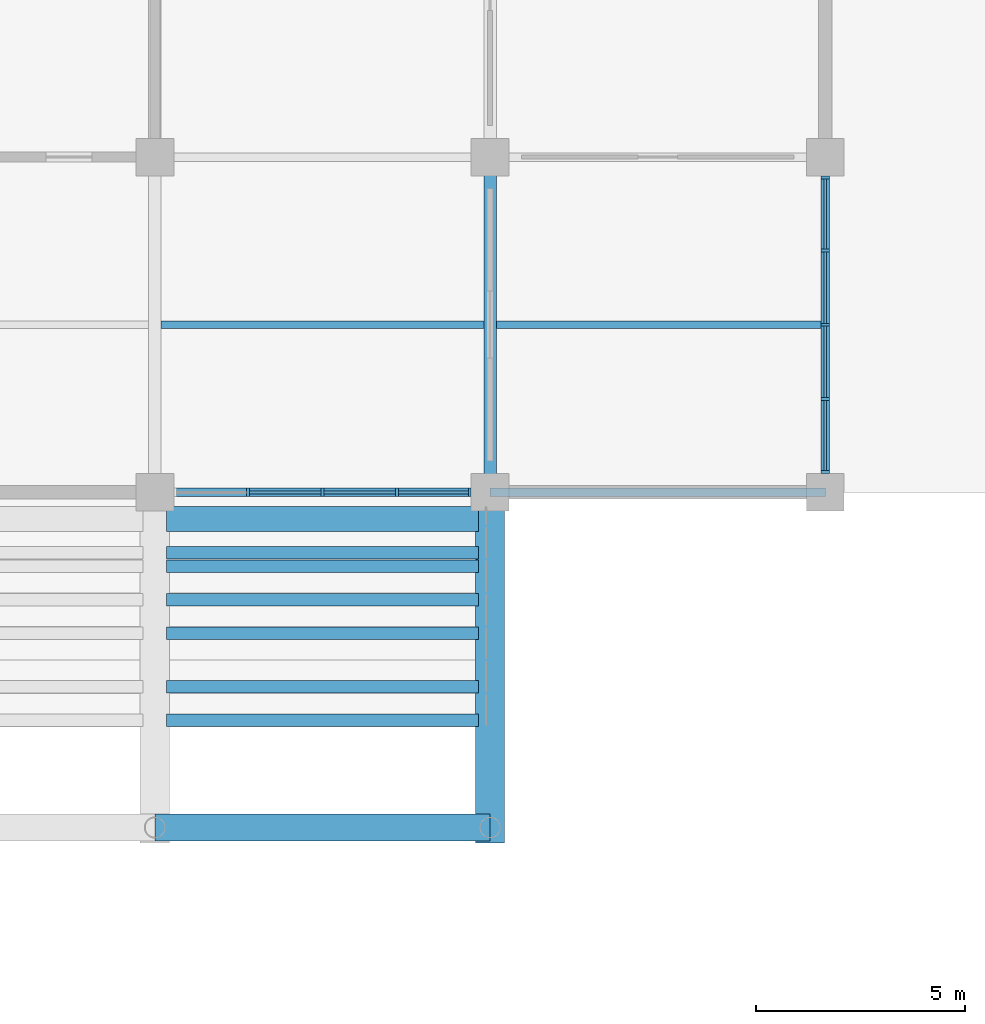
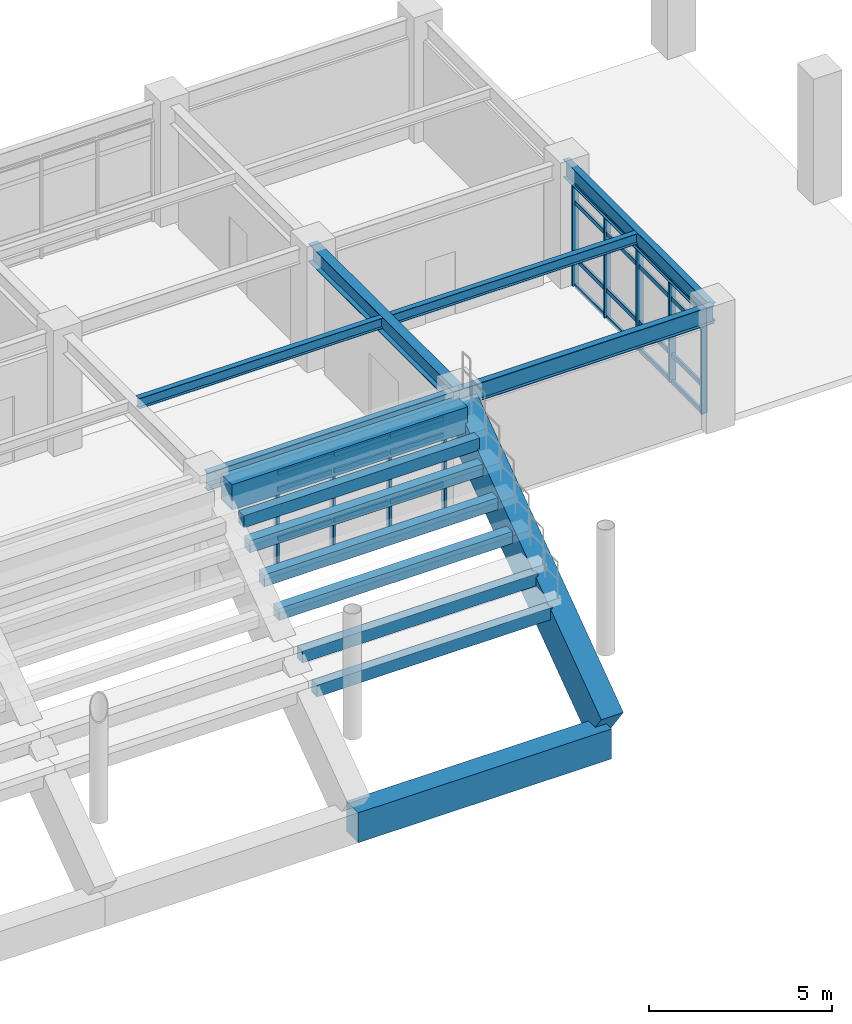
# One storey, part 55 of 118: 37 members, 15 beams, 2 elements without a shape of their own.
"""IFC4 building model written with IfcOpenShell, lengths in metres."""

import ifcopenshell
import ifcopenshell.guid

model = None  # the IFC model being written
_history = None  # IfcOwnerHistory: only IFC2X3 demands one
_inside = {}  # id of a spatial element -> (the spatial element, [elements in it])
_under = {}  # id of a project, library or spatial element -> (it, [spatial elements below it])
_declared = {}  # id of a project -> (the project, [libraries it declares])
_typed = {}  # id of a type object -> (the type object, [elements of that type])
_made_of = {}  # id of a material, layer set ... -> (it, [elements and type objects made of it])


def new_model(schema):
    """Start an empty IFC model of exactly this schema.

    Asked for "IFC4X3", IfcOpenShell would pick the latest addendum, in which some entities
    have other attributes; the version numbers below select the first issue.
    IFC2X3 requires an IfcOwnerHistory on every rooted entity: one is made here for all.
    """
    global model, _history
    if schema == "IFC4X3":
        model = ifcopenshell.file(schema_version=(4, 3, 0, 0))
    else:
        model = ifcopenshell.file(schema=schema)
    _inside.clear()
    _under.clear()
    _declared.clear()
    _typed.clear()
    _made_of.clear()
    _history = None
    if model.schema == "IFC2X3":
        org = make("IfcOrganization", Name="unknown")
        user = make(
            "IfcPersonAndOrganization",
            ThePerson=make("IfcPerson", FamilyName="unknown"),
            TheOrganization=org,
        )
        app = make(
            "IfcApplication",
            ApplicationDeveloper=org,
            Version="unknown",
            ApplicationFullName="unknown",
            ApplicationIdentifier="unknown",
        )
        _history = make(
            "IfcOwnerHistory",
            OwningUser=user,
            OwningApplication=app,
            ChangeAction="ADDED",
            CreationDate=0,
        )
    return model


def make(cls, **values):
    """One entity of the class cls with the attributes given. An attribute that is None is left unset."""
    return model.create_entity(
        cls, **{name: value for name, value in values.items() if value is not None}
    )


def rooted(cls, **values):
    """An entity with a GlobalId (a new one), such as an element, a storey or a relation."""
    return make(cls, GlobalId=ifcopenshell.guid.new(), OwnerHistory=_history, **values)


def si_unit(unit_type, name, prefix=None):
    """IfcSIUnit, for example si_unit("LENGTHUNIT", "METRE", prefix="MILLI")."""
    return make("IfcSIUnit", UnitType=unit_type, Prefix=prefix, Name=name)


def assignment(units):
    """IfcUnitAssignment: the units of a project."""
    return None if units is None else make("IfcUnitAssignment", Units=units)


def point(xyz):
    """IfcCartesianPoint."""
    return None if xyz is None else make("IfcCartesianPoint", Coordinates=xyz)


def direction(xyz):
    """IfcDirection."""
    return None if xyz is None else make("IfcDirection", DirectionRatios=xyz)


def frame(location, z_axis=None, x_axis=None):
    """IfcAxis2Placement3D, a coordinate frame: its origin and axes. An axis left out is left unset."""
    return make(
        "IfcAxis2Placement3D",
        Location=point(location),
        Axis=direction(z_axis),
        RefDirection=direction(x_axis),
    )


def frame_2d(location, x_axis=None):
    """IfcAxis2Placement2D, a coordinate frame in the plane: its origin and x axis."""
    return make(
        "IfcAxis2Placement2D", Location=point(location), RefDirection=direction(x_axis)
    )


def origin():
    """The frame at (0, 0, 0) with its axes left unset."""
    return frame((0.0, 0.0, 0.0))


def origin_2d():
    """The frame at (0, 0) in the plane with its x axis left unset."""
    return frame_2d((0.0, 0.0))


def place(relative_to, where):
    """IfcLocalPlacement: puts the frame where relative to a parent placement (None: the world)."""
    return make(
        "IfcLocalPlacement", PlacementRelTo=relative_to, RelativePlacement=where
    )


def context(
    kind, dimensions, precision=None, world=None, true_north=None, identifier=None
):
    """IfcGeometricRepresentationContext, for example the 3D "Model" context."""
    return make(
        "IfcGeometricRepresentationContext",
        ContextIdentifier=identifier,
        ContextType=kind,
        CoordinateSpaceDimension=dimensions,
        Precision=precision,
        WorldCoordinateSystem=world,
        TrueNorth=true_north,
    )


def subcontext(parent, identifier, kind, view, scale=None):
    """IfcGeometricRepresentationSubContext, for example "Body" below "Model"."""
    return make(
        "IfcGeometricRepresentationSubContext",
        ContextIdentifier=identifier,
        ContextType=kind,
        ParentContext=parent,
        TargetScale=scale,
        TargetView=view,
    )


def project(units=None, contexts=None):
    """IfcProject with its units and contexts."""
    return rooted(
        "IfcProject",
        Name="project",
        RepresentationContexts=contexts,
        UnitsInContext=assignment(units),
    )


def spatial(cls, under=None, at=None, **own):
    """A site, building, storey or space (cls), placed at a placement, below another one or the project."""
    s = rooted(cls, ObjectPlacement=at, **own)
    if under is not None:
        _under.setdefault(under.id(), (under, []))[1].append(s)
    return s


def profile(cls, at=None, kind="AREA", **sizes):
    """A parametric profile (cls). Its sizes go by their IFC names, for example OverallWidth=200.0."""
    return make(cls, ProfileType=kind, Position=at, **sizes)


def rectangle(**sizes):
    """IfcRectangleProfileDef."""
    return profile("IfcRectangleProfileDef", **sizes)


def i_section(**sizes):
    """IfcIShapeProfileDef."""
    return profile("IfcIShapeProfileDef", **sizes)


def extrude(swept, where, along, depth):
    """IfcExtrudedAreaSolid: the profile swept, set in the frame where, extruded along a direction by depth."""
    return make(
        "IfcExtrudedAreaSolid",
        SweptArea=swept,
        Position=where,
        ExtrudedDirection=direction(along),
        Depth=depth,
    )


def shape(context_of_items, identifier, shape_type, items):
    """IfcShapeRepresentation: the items that make up one representation, for example the "Body"."""
    return make(
        "IfcShapeRepresentation",
        ContextOfItems=context_of_items,
        RepresentationIdentifier=identifier,
        RepresentationType=shape_type,
        Items=items,
    )


def material(Name=None, Category=None):
    """IfcMaterial."""
    return make("IfcMaterial", Name=Name, Category=Category)


def layer(
    of_material, thickness, ventilated=None, Name=None, Category=None, Priority=None
):
    """IfcMaterialLayer: one layer of a wall or slab, of a material (None: an air gap)."""
    return make(
        "IfcMaterialLayer",
        Material=of_material,
        LayerThickness=thickness,
        IsVentilated=ventilated,
        Name=Name,
        Category=Category,
        Priority=Priority,
    )


def layer_set(layers, Name=None):
    """IfcMaterialLayerSet."""
    return make("IfcMaterialLayerSet", MaterialLayers=layers, LayerSetName=Name)


def material_profile(
    of_material, cross_section, Name=None, Category=None, Priority=None
):
    """IfcMaterialProfile: a cross section and its material."""
    return make(
        "IfcMaterialProfile",
        Name=Name,
        Material=of_material,
        Profile=cross_section,
        Priority=Priority,
        Category=Category,
    )


def profile_set(profiles, Name=None, composite=None):
    """IfcMaterialProfileSet."""
    return make(
        "IfcMaterialProfileSet",
        Name=Name,
        MaterialProfiles=profiles,
        CompositeProfile=composite,
    )


def made_of(thing, what):
    """Note that an element or type object is made of a material, layer set ...; save() writes the relation."""
    if what is not None:
        _made_of.setdefault(what.id(), (what, []))[1].append(thing)
    return thing


def type_object(cls, material=None, **own):
    """A type object (cls), such as IfcWallType, which elements share."""
    return made_of(rooted(cls, **own), material)


def element(
    cls,
    number,
    at=None,
    inside=None,
    cuts=None,
    type_object=None,
    material=None,
    context=None,
    identifier="Body",
    shape_type=None,
    held_by="IfcProductDefinitionShape",
    body=None,
    shapes=None,
    **own,
):
    """One element of the class cls, such as IfcWall. Its Tag is "e" and its number.

    at: its placement. inside: the storey or other place that contains it. cuts: it is an
    opening in that element (IfcRelVoidsElement). A single representation is given by context,
    identifier, shape_type and body (its items); several are given by shapes. held_by: the class
    of the entity that holds the representations. save() writes the other relations.
    """
    e = rooted(cls, Tag="e%d" % number, ObjectPlacement=at, **own)
    if body is not None:
        shapes = [shape(context, identifier, shape_type, body)]
    if shapes is not None:
        e.Representation = make(held_by, Representations=shapes)
    if inside is not None:
        _inside.setdefault(inside.id(), (inside, []))[1].append(e)
    if cuts is not None:
        rooted(
            "IfcRelVoidsElement", RelatingBuildingElement=cuts, RelatedOpeningElement=e
        )
    if type_object is not None:
        _typed.setdefault(type_object.id(), (type_object, []))[1].append(e)
    return made_of(e, material)


def aggregate(whole, parts):
    """IfcRelAggregates: a whole, such as a stair, and the parts it consists of."""
    return rooted("IfcRelAggregates", RelatingObject=whole, RelatedObjects=parts)


def save(model, path):
    """Write the relations noted so far, then the file.

    IfcRelAggregates (storeys below a building ...), IfcRelContainedInSpatialStructure (elements
    in a storey), IfcRelDefinesByType, IfcRelAssociatesMaterial and IfcRelDeclares: one each for
    every whole, place, type object, material and project.
    """
    for whole, parts in _under.values():
        aggregate(whole, parts)
    for where, things in _inside.values():
        rooted(
            "IfcRelContainedInSpatialStructure",
            RelatedElements=things,
            RelatingStructure=where,
        )
    for kind, things in _typed.values():
        rooted("IfcRelDefinesByType", RelatedObjects=things, RelatingType=kind)
    for what, things in _made_of.values():
        rooted("IfcRelAssociatesMaterial", RelatedObjects=things, RelatingMaterial=what)
    for by, libraries in _declared.values():
        rooted("IfcRelDeclares", RelatingContext=by, RelatedDefinitions=libraries)
    model.write(path)


model = new_model("IFC4")

# Units and contexts
model_context = context("Model", 3, precision=1e-05, world=origin(), true_north=direction((0.0, 1.0)))
body_context = subcontext(model_context, "Body", "Model", "MODEL_VIEW")
ifc_project = project(units=[si_unit("LENGTHUNIT", "METRE"), si_unit("AREAUNIT", "SQUARE_METRE"), si_unit("VOLUMEUNIT", "CUBIC_METRE"), si_unit("PLANEANGLEUNIT", "RADIAN"), si_unit("MASSUNIT", "GRAM", prefix="KILO")], contexts=[model_context])

# Site, building, storey
site_placement = place(None, origin())
site = spatial("IfcSite", under=ifc_project, at=site_placement, CompositionType="ELEMENT")
building_placement = place(site_placement, origin())
building = spatial("IfcBuilding", under=site, at=building_placement, Name="Haebicheon Civic Stadium", CompositionType="ELEMENT")
storey_placement = place(building_placement, frame((0.0, 0.0, 14.39990234375)))
storey = spatial("IfcBuildingStorey", under=building, at=storey_placement, Name="L04", CompositionType="ELEMENT", Elevation=14.39990234375)

# Beams
ifc_material_1 = material(Name="Precast concrete C40/50", Category="concrete")
ifc_material_profile_1 = material_profile(ifc_material_1, rectangle(XDim=0.300048828125, YDim=0.39990234375, at=origin_2d()), Name="PC-LN-300x400")
ifc_profile_set_1 = profile_set([ifc_material_profile_1], Name="Precast concrete C40/50")
beam_type_1 = type_object("IfcBeamType", Name="BM-LN-300x400", PredefinedType="LINTEL", material=ifc_profile_set_1)
for number, where, z_axis, x_axis, name in (
    (1, (120.280029296875, 146.56005859375, -0.10693359375), (1.0, 0.0, 0.0), (0.0, 1.0, 0.0), "TIER-N-U precast step carrier beam 6.4"),
    (2, (120.280029296875, 147.360107421875, 0.5380859375), (1.0, 0.0, 0.0), (0.0, 1.0, 0.0), "TIER-N-U precast step carrier beam 6.5"),
    (3, (120.280029296875, 148.639892578125, 1.18212890625), (1.0, 0.0, 0.0), (0.0, 1.0, 0.0), "TIER-N-U precast step carrier beam 6.6"),
    (4, (120.280029296875, 149.43994140625, 1.8271484375), (1.0, 0.0, 0.0), (0.0, 1.0, 0.0), "TIER-N-U precast step carrier beam 6.7"),
    (5, (120.280029296875, 150.239990234375, 2.47119140625), (1.0, 0.0, 0.0), (0.0, 1.0, 0.0), "TIER-N-U precast step carrier beam 6.8"),
    (6, (120.280029296875, 150.56005859375, 3.1162109375), (1.0, 0.0, 0.0), (0.0, 1.0, 0.0), "TIER-N-U precast step carrier beam 6.9"),
):
    element("IfcBeam", number, at=place(storey_placement, frame(where, z_axis=z_axis, x_axis=x_axis)), inside=storey, type_object=beam_type_1, material=ifc_profile_set_1, Name=name, PredefinedType="LINTEL", context=body_context, shape_type="SweptSolid", body=[
        extrude(rectangle(XDim=0.300048828125, YDim=0.39990234375, at=origin_2d()), origin(), (0.0, 0.0, 1.0), 7.43994140625),
    ])
ifc_material_2 = material(Name="Concrete C40/50", Category="concrete")
ifc_material_profile_2 = material_profile(ifc_material_2, rectangle(XDim=0.64990234375, YDim=1.0, at=origin_2d()), Name="RC-BM-650x1000")
ifc_profile_set_2 = profile_set([ifc_material_profile_2], Name="Concrete C40/50")
beam_type_2 = type_object("IfcBeamType", Name="BM-RC-650x1000", PredefinedType="BEAM", material=ifc_profile_set_2)
beam_1_placement = place(storey_placement, frame((120.0, 144.0, -2.914794921875), z_axis=(1.0, 0.0, 0.0), x_axis=(0.0, 1.0, 0.0)))
element("IfcBeam", 7, at=beam_1_placement, inside=storey, type_object=beam_type_2, material=ifc_profile_set_2, Name="TIER-N-U nose support girder 6", PredefinedType="BEAM", context=body_context, shape_type="SweptSolid", body=[
    extrude(rectangle(XDim=0.64990234375, YDim=1.0, at=origin_2d()), origin(), (0.0, 0.0, 1.0), 8.0),
])
ifc_material_3 = material(Name="Steel SM355 (S355)", Category="steel")
ifc_material_profile_3 = material_profile(ifc_material_3, i_section(OverallWidth=0.300048828125, OverallDepth=0.60009765625, WebThickness=0.011962890625, FlangeThickness=0.02001953125, at=origin_2d()), Name="H-600x300x12x20")
ifc_profile_set_3 = profile_set([ifc_material_profile_3], Name="Steel SM355 (S355)")
beam_type_3 = type_object("IfcBeamType", Name="BM-ST-H600A", PredefinedType="BEAM", material=ifc_profile_set_3)
beam_2_placement = place(storey_placement, frame((128.0, 152.0, 3.64013671875), z_axis=(0.0, 1.0, 0.0), x_axis=(-1.0, 0.0, 0.0)))
element("IfcBeam", 8, at=beam_2_placement, inside=storey, type_object=beam_type_3, material=ifc_profile_set_3, Name="L04 girder 17/V-W", PredefinedType="BEAM", context=body_context, shape_type="SweptSolid", body=[
    extrude(i_section(OverallWidth=0.300048828125, OverallDepth=0.60009765625, WebThickness=0.011962890625, FlangeThickness=0.02001953125, at=origin_2d()), origin(), (0.0, 0.0, 1.0), 8.0),
])
ifc_material_4 = material(Name="Precast concrete C40/50", Category="concrete")
ifc_material_profile_4 = material_profile(ifc_material_4, rectangle(XDim=0.60009765625, YDim=0.85009765625, at=origin_2d()), Name="PC-TB-600x850")
ifc_profile_set_4 = profile_set([ifc_material_profile_4], Name="Precast concrete C40/50")
beam_type_4 = type_object("IfcBeamType", Name="BM-TB-600x850", PredefinedType="T_BEAM", material=ifc_profile_set_4)
beam_3_placement = place(storey_placement, frame((120.280029296875, 151.360107421875, 3.53515625), z_axis=(1.0, 0.0, 0.0), x_axis=(0.0, 1.0, 0.0)))
element("IfcBeam", 9, at=beam_3_placement, inside=storey, type_object=beam_type_4, material=ifc_profile_set_4, Name="TIER-N-U upper tier bench carrier beam 6", PredefinedType="T_BEAM", context=body_context, shape_type="SweptSolid", body=[
    extrude(rectangle(XDim=0.60009765625, YDim=0.85009765625, at=origin_2d()), origin(), (0.0, 0.0, 1.0), 7.43994140625),
])

# Curtain wall, members
ifc_material_5 = material(Name="Anodised aluminium and laminated glass", Category="aluminium")
ifc_layer_1 = layer(ifc_material_5, 0.179931640625, Name="Anodised aluminium and laminated glass")
ifc_layer_set_1 = layer_set([ifc_layer_1], Name="Anodised aluminium and laminated glass")
curtain_wall_type_1 = type_object("IfcCurtainWallType", Name="CW-7100x3100", PredefinedType="NOTDEFINED", material=ifc_layer_set_1)
curtain_wall_1_placement = place(storey_placement, origin())
curtain_wall_1 = element("IfcCurtainWall", 10, at=curtain_wall_1_placement, inside=storey, type_object=curtain_wall_type_1, material=ifc_layer_set_1, Name="L04 unitised curtain wall 137", PredefinedType="NOTDEFINED")
ifc_material_6 = material(Name="Anodised aluminium 6063-T6", Category="aluminium")
ifc_material_profile_5 = material_profile(ifc_material_6, rectangle(XDim=0.070068359375, YDim=0.199951171875, at=origin_2d()), Name="ALU-MULL-70x200")
ifc_profile_set_5 = profile_set([ifc_material_profile_5], Name="Anodised aluminium 6063-T6")
member_type_1 = type_object("IfcMemberType", Name="CWM-200x70", PredefinedType="MULLION", material=ifc_profile_set_5)
member_1_placement = place(storey_placement, frame((122.22509765625, 152.0, 0.0), z_axis=(0.0, 0.0, 1.0), x_axis=(1.0, 0.0, 0.0)))
member_1 = element("IfcMember", 11, at=member_1_placement, type_object=member_type_1, material=ifc_profile_set_5, Name="CW-L04-137 vertical mullion 2", PredefinedType="MULLION", context=body_context, shape_type="SweptSolid", body=[
    extrude(rectangle(XDim=0.070068359375, YDim=0.199951171875, at=origin_2d()), origin(), (0.0, 0.0, 1.0), 3.10009765625),
])
member_2_placement = place(storey_placement, frame((124.0, 152.0, 0.0), z_axis=(0.0, 0.0, 1.0), x_axis=(1.0, 0.0, 0.0)))
member_2 = element("IfcMember", 12, at=member_2_placement, type_object=member_type_1, material=ifc_profile_set_5, Name="CW-L04-137 vertical mullion 3", PredefinedType="MULLION", context=body_context, shape_type="SweptSolid", body=[
    extrude(rectangle(XDim=0.070068359375, YDim=0.199951171875, at=origin_2d()), origin(), (0.0, 0.0, 1.0), 3.10009765625),
])
member_3_placement = place(storey_placement, frame((125.77490234375, 152.0, 0.0), z_axis=(0.0, 0.0, 1.0), x_axis=(1.0, 0.0, 0.0)))
member_3 = element("IfcMember", 13, at=member_3_placement, type_object=member_type_1, material=ifc_profile_set_5, Name="CW-L04-137 vertical mullion 4", PredefinedType="MULLION", context=body_context, shape_type="SweptSolid", body=[
    extrude(rectangle(XDim=0.070068359375, YDim=0.199951171875, at=origin_2d()), origin(), (0.0, 0.0, 1.0), 3.10009765625),
])
member_4_placement = place(storey_placement, frame((127.514892578125, 152.0, 0.0), z_axis=(0.0, 0.0, 1.0), x_axis=(1.0, 0.0, 0.0)))
member_4 = element("IfcMember", 14, at=member_4_placement, type_object=member_type_1, material=ifc_profile_set_5, Name="CW-L04-137 vertical mullion 5", PredefinedType="MULLION", context=body_context, shape_type="SweptSolid", body=[
    extrude(rectangle(XDim=0.070068359375, YDim=0.199951171875, at=origin_2d()), origin(), (0.0, 0.0, 1.0), 3.10009765625),
])

ifc_material_7 = material(Name="Anodised aluminium and laminated glass", Category="aluminium")
ifc_layer_2 = layer(ifc_material_7, 0.179931640625, Name="Anodised aluminium and laminated glass")
ifc_layer_set_2 = layer_set([ifc_layer_2], Name="Anodised aluminium and laminated glass")
curtain_wall_type_2 = type_object("IfcCurtainWallType", Name="CW-7100x3330", PredefinedType="NOTDEFINED", material=ifc_layer_set_2)
curtain_wall_2_placement = place(storey_placement, origin())
curtain_wall_2 = element("IfcCurtainWall", 15, at=curtain_wall_2_placement, inside=storey, type_object=curtain_wall_type_2, material=ifc_layer_set_2, Name="L04 unitised curtain wall 142", PredefinedType="NOTDEFINED")
member_5_placement = place(storey_placement, frame((136.0, 152.485107421875, 0.0), z_axis=(0.0, 0.0, 1.0), x_axis=(0.0, 1.0, 0.0)))
member_5 = element("IfcMember", 16, at=member_5_placement, type_object=member_type_1, material=ifc_profile_set_5, Name="CW-L04-142 vertical mullion 1", PredefinedType="MULLION", context=body_context, shape_type="SweptSolid", body=[
    extrude(rectangle(XDim=0.070068359375, YDim=0.199951171875, at=origin_2d()), origin(), (0.0, 0.0, 1.0), 3.330078125),
])
member_6_placement = place(storey_placement, frame((136.0, 154.22509765625, 0.0), z_axis=(0.0, 0.0, 1.0), x_axis=(0.0, 1.0, 0.0)))
member_6 = element("IfcMember", 17, at=member_6_placement, type_object=member_type_1, material=ifc_profile_set_5, Name="CW-L04-142 vertical mullion 2", PredefinedType="MULLION", context=body_context, shape_type="SweptSolid", body=[
    extrude(rectangle(XDim=0.070068359375, YDim=0.199951171875, at=origin_2d()), origin(), (0.0, 0.0, 1.0), 3.330078125),
])
member_7_placement = place(storey_placement, frame((136.0, 156.0, 0.0), z_axis=(0.0, 0.0, 1.0), x_axis=(0.0, 1.0, 0.0)))
member_7 = element("IfcMember", 18, at=member_7_placement, type_object=member_type_1, material=ifc_profile_set_5, Name="CW-L04-142 vertical mullion 3", PredefinedType="MULLION", context=body_context, shape_type="SweptSolid", body=[
    extrude(rectangle(XDim=0.070068359375, YDim=0.199951171875, at=origin_2d()), origin(), (0.0, 0.0, 1.0), 3.330078125),
])
member_8_placement = place(storey_placement, frame((136.0, 157.77490234375, 0.0), z_axis=(0.0, 0.0, 1.0), x_axis=(0.0, 1.0, 0.0)))
member_8 = element("IfcMember", 19, at=member_8_placement, type_object=member_type_1, material=ifc_profile_set_5, Name="CW-L04-142 vertical mullion 4", PredefinedType="MULLION", context=body_context, shape_type="SweptSolid", body=[
    extrude(rectangle(XDim=0.070068359375, YDim=0.199951171875, at=origin_2d()), origin(), (0.0, 0.0, 1.0), 3.330078125),
])
member_9_placement = place(storey_placement, frame((136.0, 159.514892578125, 0.0), z_axis=(0.0, 0.0, 1.0), x_axis=(0.0, 1.0, 0.0)))
member_9 = element("IfcMember", 20, at=member_9_placement, type_object=member_type_1, material=ifc_profile_set_5, Name="CW-L04-142 vertical mullion 5", PredefinedType="MULLION", context=body_context, shape_type="SweptSolid", body=[
    extrude(rectangle(XDim=0.070068359375, YDim=0.199951171875, at=origin_2d()), origin(), (0.0, 0.0, 1.0), 3.330078125),
])

# Member
ifc_material_8 = material(Name="Anodised aluminium 6063-T6", Category="aluminium")
ifc_material_profile_6 = material_profile(ifc_material_8, rectangle(XDim=0.070068359375, YDim=0.14990234375, at=origin_2d()), Name="ALU-TRAN-70x150")
ifc_profile_set_6 = profile_set([ifc_material_profile_6], Name="Anodised aluminium 6063-T6")
member_type_2 = type_object("IfcMemberType", Name="CWT-150x70", PredefinedType="NOTDEFINED", material=ifc_profile_set_6)
member_10_placement = place(storey_placement, frame((122.260009765625, 152.0, 0.0), z_axis=(1.0, 0.0, 0.0), x_axis=(0.0, 1.0, 0.0)))
member_10 = element("IfcMember", 21, at=member_10_placement, type_object=member_type_2, material=ifc_profile_set_6, Name="CW-L04-137 horizontal transom 2.1", ObjectType="TRANSOM", PredefinedType="USERDEFINED", context=body_context, shape_type="SweptSolid", body=[
    extrude(rectangle(XDim=0.070068359375, YDim=0.14990234375, at=origin_2d()), origin(), (0.0, 0.0, 1.0), 1.705078125),
])

member_11_placement = place(storey_placement, frame((122.260009765625, 152.0, 0.900146484375), z_axis=(1.0, 0.0, 0.0), x_axis=(0.0, 1.0, 0.0)))
member_11 = element("IfcMember", 22, at=member_11_placement, type_object=member_type_2, material=ifc_profile_set_6, Name="CW-L04-137 horizontal transom 2.2", ObjectType="TRANSOM", PredefinedType="USERDEFINED", context=body_context, shape_type="SweptSolid", body=[
    extrude(rectangle(XDim=0.070068359375, YDim=0.14990234375, at=origin_2d()), origin(), (0.0, 0.0, 1.0), 1.705078125),
])

member_12_placement = place(storey_placement, frame((122.260009765625, 152.0, 2.550048828125), z_axis=(1.0, 0.0, 0.0), x_axis=(0.0, 1.0, 0.0)))
member_12 = element("IfcMember", 23, at=member_12_placement, type_object=member_type_2, material=ifc_profile_set_6, Name="CW-L04-137 horizontal transom 2.3", ObjectType="TRANSOM", PredefinedType="USERDEFINED", context=body_context, shape_type="SweptSolid", body=[
    extrude(rectangle(XDim=0.070068359375, YDim=0.14990234375, at=origin_2d()), origin(), (0.0, 0.0, 1.0), 1.705078125),
])

member_13_placement = place(storey_placement, frame((122.260009765625, 152.0, 3.10009765625), z_axis=(1.0, 0.0, 0.0), x_axis=(0.0, 1.0, 0.0)))
member_13 = element("IfcMember", 24, at=member_13_placement, type_object=member_type_2, material=ifc_profile_set_6, Name="CW-L04-137 horizontal transom 2.4", ObjectType="TRANSOM", PredefinedType="USERDEFINED", context=body_context, shape_type="SweptSolid", body=[
    extrude(rectangle(XDim=0.070068359375, YDim=0.14990234375, at=origin_2d()), origin(), (0.0, 0.0, 1.0), 1.705078125),
])

member_14_placement = place(storey_placement, frame((124.034912109375, 152.0, 0.0), z_axis=(1.0, 0.0, 0.0), x_axis=(0.0, 1.0, 0.0)))
member_14 = element("IfcMember", 25, at=member_14_placement, type_object=member_type_2, material=ifc_profile_set_6, Name="CW-L04-137 horizontal transom 3.1", ObjectType="TRANSOM", PredefinedType="USERDEFINED", context=body_context, shape_type="SweptSolid", body=[
    extrude(rectangle(XDim=0.070068359375, YDim=0.14990234375, at=origin_2d()), origin(), (0.0, 0.0, 1.0), 1.705078125),
])

member_15_placement = place(storey_placement, frame((124.034912109375, 152.0, 0.900146484375), z_axis=(1.0, 0.0, 0.0), x_axis=(0.0, 1.0, 0.0)))
member_15 = element("IfcMember", 26, at=member_15_placement, type_object=member_type_2, material=ifc_profile_set_6, Name="CW-L04-137 horizontal transom 3.2", ObjectType="TRANSOM", PredefinedType="USERDEFINED", context=body_context, shape_type="SweptSolid", body=[
    extrude(rectangle(XDim=0.070068359375, YDim=0.14990234375, at=origin_2d()), origin(), (0.0, 0.0, 1.0), 1.705078125),
])

member_16_placement = place(storey_placement, frame((124.034912109375, 152.0, 2.550048828125), z_axis=(1.0, 0.0, 0.0), x_axis=(0.0, 1.0, 0.0)))
member_16 = element("IfcMember", 27, at=member_16_placement, type_object=member_type_2, material=ifc_profile_set_6, Name="CW-L04-137 horizontal transom 3.3", ObjectType="TRANSOM", PredefinedType="USERDEFINED", context=body_context, shape_type="SweptSolid", body=[
    extrude(rectangle(XDim=0.070068359375, YDim=0.14990234375, at=origin_2d()), origin(), (0.0, 0.0, 1.0), 1.705078125),
])

member_17_placement = place(storey_placement, frame((124.034912109375, 152.0, 3.10009765625), z_axis=(1.0, 0.0, 0.0), x_axis=(0.0, 1.0, 0.0)))
member_17 = element("IfcMember", 28, at=member_17_placement, type_object=member_type_2, material=ifc_profile_set_6, Name="CW-L04-137 horizontal transom 3.4", ObjectType="TRANSOM", PredefinedType="USERDEFINED", context=body_context, shape_type="SweptSolid", body=[
    extrude(rectangle(XDim=0.070068359375, YDim=0.14990234375, at=origin_2d()), origin(), (0.0, 0.0, 1.0), 1.705078125),
])

member_18_placement = place(storey_placement, frame((125.81005859375, 152.0, 0.0), z_axis=(1.0, 0.0, 0.0), x_axis=(0.0, 1.0, 0.0)))
member_18 = element("IfcMember", 29, at=member_18_placement, type_object=member_type_2, material=ifc_profile_set_6, Name="CW-L04-137 horizontal transom 4.1", ObjectType="TRANSOM", PredefinedType="USERDEFINED", context=body_context, shape_type="SweptSolid", body=[
    extrude(rectangle(XDim=0.070068359375, YDim=0.14990234375, at=origin_2d()), origin(), (0.0, 0.0, 1.0), 1.669921875),
])

member_19_placement = place(storey_placement, frame((125.81005859375, 152.0, 0.900146484375), z_axis=(1.0, 0.0, 0.0), x_axis=(0.0, 1.0, 0.0)))
member_19 = element("IfcMember", 30, at=member_19_placement, type_object=member_type_2, material=ifc_profile_set_6, Name="CW-L04-137 horizontal transom 4.2", ObjectType="TRANSOM", PredefinedType="USERDEFINED", context=body_context, shape_type="SweptSolid", body=[
    extrude(rectangle(XDim=0.070068359375, YDim=0.14990234375, at=origin_2d()), origin(), (0.0, 0.0, 1.0), 1.669921875),
])

member_20_placement = place(storey_placement, frame((125.81005859375, 152.0, 2.550048828125), z_axis=(1.0, 0.0, 0.0), x_axis=(0.0, 1.0, 0.0)))
member_20 = element("IfcMember", 31, at=member_20_placement, type_object=member_type_2, material=ifc_profile_set_6, Name="CW-L04-137 horizontal transom 4.3", ObjectType="TRANSOM", PredefinedType="USERDEFINED", context=body_context, shape_type="SweptSolid", body=[
    extrude(rectangle(XDim=0.070068359375, YDim=0.14990234375, at=origin_2d()), origin(), (0.0, 0.0, 1.0), 1.669921875),
])

member_21_placement = place(storey_placement, frame((125.81005859375, 152.0, 3.10009765625), z_axis=(1.0, 0.0, 0.0), x_axis=(0.0, 1.0, 0.0)))
member_21 = element("IfcMember", 32, at=member_21_placement, type_object=member_type_2, material=ifc_profile_set_6, Name="CW-L04-137 horizontal transom 4.4", ObjectType="TRANSOM", PredefinedType="USERDEFINED", context=body_context, shape_type="SweptSolid", body=[
    extrude(rectangle(XDim=0.070068359375, YDim=0.14990234375, at=origin_2d()), origin(), (0.0, 0.0, 1.0), 1.669921875),
])

aggregate(curtain_wall_1, [member_1, member_2, member_3, member_4, member_10, member_11, member_12, member_13, member_14, member_15, member_16, member_17, member_18, member_19, member_20, member_21])

member_22_placement = place(storey_placement, frame((136.0, 152.52001953125, 0.0), z_axis=(0.0, 1.0, 0.0), x_axis=(-1.0, 0.0, 0.0)))
member_22 = element("IfcMember", 33, at=member_22_placement, type_object=member_type_2, material=ifc_profile_set_6, Name="CW-L04-142 horizontal transom 1.1", ObjectType="TRANSOM", PredefinedType="USERDEFINED", context=body_context, shape_type="SweptSolid", body=[
    extrude(rectangle(XDim=0.070068359375, YDim=0.14990234375, at=origin_2d()), origin(), (0.0, 0.0, 1.0), 1.669921875),
])

member_23_placement = place(storey_placement, frame((136.0, 152.52001953125, 0.900146484375), z_axis=(0.0, 1.0, 0.0), x_axis=(-1.0, 0.0, 0.0)))
member_23 = element("IfcMember", 34, at=member_23_placement, type_object=member_type_2, material=ifc_profile_set_6, Name="CW-L04-142 horizontal transom 1.2", ObjectType="TRANSOM", PredefinedType="USERDEFINED", context=body_context, shape_type="SweptSolid", body=[
    extrude(rectangle(XDim=0.070068359375, YDim=0.14990234375, at=origin_2d()), origin(), (0.0, 0.0, 1.0), 1.669921875),
])

member_24_placement = place(storey_placement, frame((136.0, 152.52001953125, 2.780029296875), z_axis=(0.0, 1.0, 0.0), x_axis=(-1.0, 0.0, 0.0)))
member_24 = element("IfcMember", 35, at=member_24_placement, type_object=member_type_2, material=ifc_profile_set_6, Name="CW-L04-142 horizontal transom 1.3", ObjectType="TRANSOM", PredefinedType="USERDEFINED", context=body_context, shape_type="SweptSolid", body=[
    extrude(rectangle(XDim=0.070068359375, YDim=0.14990234375, at=origin_2d()), origin(), (0.0, 0.0, 1.0), 1.669921875),
])

member_25_placement = place(storey_placement, frame((136.0, 152.52001953125, 3.330078125), z_axis=(0.0, 1.0, 0.0), x_axis=(-1.0, 0.0, 0.0)))
member_25 = element("IfcMember", 36, at=member_25_placement, type_object=member_type_2, material=ifc_profile_set_6, Name="CW-L04-142 horizontal transom 1.4", ObjectType="TRANSOM", PredefinedType="USERDEFINED", context=body_context, shape_type="SweptSolid", body=[
    extrude(rectangle(XDim=0.070068359375, YDim=0.14990234375, at=origin_2d()), origin(), (0.0, 0.0, 1.0), 1.669921875),
])

member_26_placement = place(storey_placement, frame((136.0, 154.260009765625, 0.0), z_axis=(0.0, 1.0, 0.0), x_axis=(-1.0, 0.0, 0.0)))
member_26 = element("IfcMember", 37, at=member_26_placement, type_object=member_type_2, material=ifc_profile_set_6, Name="CW-L04-142 horizontal transom 2.1", ObjectType="TRANSOM", PredefinedType="USERDEFINED", context=body_context, shape_type="SweptSolid", body=[
    extrude(rectangle(XDim=0.070068359375, YDim=0.14990234375, at=origin_2d()), origin(), (0.0, 0.0, 1.0), 1.705078125),
])

member_27_placement = place(storey_placement, frame((136.0, 154.260009765625, 0.900146484375), z_axis=(0.0, 1.0, 0.0), x_axis=(-1.0, 0.0, 0.0)))
member_27 = element("IfcMember", 38, at=member_27_placement, type_object=member_type_2, material=ifc_profile_set_6, Name="CW-L04-142 horizontal transom 2.2", ObjectType="TRANSOM", PredefinedType="USERDEFINED", context=body_context, shape_type="SweptSolid", body=[
    extrude(rectangle(XDim=0.070068359375, YDim=0.14990234375, at=origin_2d()), origin(), (0.0, 0.0, 1.0), 1.705078125),
])

member_28_placement = place(storey_placement, frame((136.0, 154.260009765625, 2.780029296875), z_axis=(0.0, 1.0, 0.0), x_axis=(-1.0, 0.0, 0.0)))
member_28 = element("IfcMember", 39, at=member_28_placement, type_object=member_type_2, material=ifc_profile_set_6, Name="CW-L04-142 horizontal transom 2.3", ObjectType="TRANSOM", PredefinedType="USERDEFINED", context=body_context, shape_type="SweptSolid", body=[
    extrude(rectangle(XDim=0.070068359375, YDim=0.14990234375, at=origin_2d()), origin(), (0.0, 0.0, 1.0), 1.705078125),
])

member_29_placement = place(storey_placement, frame((136.0, 154.260009765625, 3.330078125), z_axis=(0.0, 1.0, 0.0), x_axis=(-1.0, 0.0, 0.0)))
member_29 = element("IfcMember", 40, at=member_29_placement, type_object=member_type_2, material=ifc_profile_set_6, Name="CW-L04-142 horizontal transom 2.4", ObjectType="TRANSOM", PredefinedType="USERDEFINED", context=body_context, shape_type="SweptSolid", body=[
    extrude(rectangle(XDim=0.070068359375, YDim=0.14990234375, at=origin_2d()), origin(), (0.0, 0.0, 1.0), 1.705078125),
])

member_30_placement = place(storey_placement, frame((136.0, 156.034912109375, 0.0), z_axis=(0.0, 1.0, 0.0), x_axis=(-1.0, 0.0, 0.0)))
member_30 = element("IfcMember", 41, at=member_30_placement, type_object=member_type_2, material=ifc_profile_set_6, Name="CW-L04-142 horizontal transom 3.1", ObjectType="TRANSOM", PredefinedType="USERDEFINED", context=body_context, shape_type="SweptSolid", body=[
    extrude(rectangle(XDim=0.070068359375, YDim=0.14990234375, at=origin_2d()), origin(), (0.0, 0.0, 1.0), 1.705078125),
])

member_31_placement = place(storey_placement, frame((136.0, 156.034912109375, 0.900146484375), z_axis=(0.0, 1.0, 0.0), x_axis=(-1.0, 0.0, 0.0)))
member_31 = element("IfcMember", 42, at=member_31_placement, type_object=member_type_2, material=ifc_profile_set_6, Name="CW-L04-142 horizontal transom 3.2", ObjectType="TRANSOM", PredefinedType="USERDEFINED", context=body_context, shape_type="SweptSolid", body=[
    extrude(rectangle(XDim=0.070068359375, YDim=0.14990234375, at=origin_2d()), origin(), (0.0, 0.0, 1.0), 1.705078125),
])

member_32_placement = place(storey_placement, frame((136.0, 156.034912109375, 2.780029296875), z_axis=(0.0, 1.0, 0.0), x_axis=(-1.0, 0.0, 0.0)))
member_32 = element("IfcMember", 43, at=member_32_placement, type_object=member_type_2, material=ifc_profile_set_6, Name="CW-L04-142 horizontal transom 3.3", ObjectType="TRANSOM", PredefinedType="USERDEFINED", context=body_context, shape_type="SweptSolid", body=[
    extrude(rectangle(XDim=0.070068359375, YDim=0.14990234375, at=origin_2d()), origin(), (0.0, 0.0, 1.0), 1.705078125),
])

member_33_placement = place(storey_placement, frame((136.0, 156.034912109375, 3.330078125), z_axis=(0.0, 1.0, 0.0), x_axis=(-1.0, 0.0, 0.0)))
member_33 = element("IfcMember", 44, at=member_33_placement, type_object=member_type_2, material=ifc_profile_set_6, Name="CW-L04-142 horizontal transom 3.4", ObjectType="TRANSOM", PredefinedType="USERDEFINED", context=body_context, shape_type="SweptSolid", body=[
    extrude(rectangle(XDim=0.070068359375, YDim=0.14990234375, at=origin_2d()), origin(), (0.0, 0.0, 1.0), 1.705078125),
])

member_34_placement = place(storey_placement, frame((136.0, 157.81005859375, 0.0), z_axis=(0.0, 1.0, 0.0), x_axis=(-1.0, 0.0, 0.0)))
member_34 = element("IfcMember", 45, at=member_34_placement, type_object=member_type_2, material=ifc_profile_set_6, Name="CW-L04-142 horizontal transom 4.1", ObjectType="TRANSOM", PredefinedType="USERDEFINED", context=body_context, shape_type="SweptSolid", body=[
    extrude(rectangle(XDim=0.070068359375, YDim=0.14990234375, at=origin_2d()), origin(), (0.0, 0.0, 1.0), 1.669921875),
])

member_35_placement = place(storey_placement, frame((136.0, 157.81005859375, 0.900146484375), z_axis=(0.0, 1.0, 0.0), x_axis=(-1.0, 0.0, 0.0)))
member_35 = element("IfcMember", 46, at=member_35_placement, type_object=member_type_2, material=ifc_profile_set_6, Name="CW-L04-142 horizontal transom 4.2", ObjectType="TRANSOM", PredefinedType="USERDEFINED", context=body_context, shape_type="SweptSolid", body=[
    extrude(rectangle(XDim=0.070068359375, YDim=0.14990234375, at=origin_2d()), origin(), (0.0, 0.0, 1.0), 1.669921875),
])

member_36_placement = place(storey_placement, frame((136.0, 157.81005859375, 2.780029296875), z_axis=(0.0, 1.0, 0.0), x_axis=(-1.0, 0.0, 0.0)))
member_36 = element("IfcMember", 47, at=member_36_placement, type_object=member_type_2, material=ifc_profile_set_6, Name="CW-L04-142 horizontal transom 4.3", ObjectType="TRANSOM", PredefinedType="USERDEFINED", context=body_context, shape_type="SweptSolid", body=[
    extrude(rectangle(XDim=0.070068359375, YDim=0.14990234375, at=origin_2d()), origin(), (0.0, 0.0, 1.0), 1.669921875),
])

member_37_placement = place(storey_placement, frame((136.0, 157.81005859375, 3.330078125), z_axis=(0.0, 1.0, 0.0), x_axis=(-1.0, 0.0, 0.0)))
member_37 = element("IfcMember", 48, at=member_37_placement, type_object=member_type_2, material=ifc_profile_set_6, Name="CW-L04-142 horizontal transom 4.4", ObjectType="TRANSOM", PredefinedType="USERDEFINED", context=body_context, shape_type="SweptSolid", body=[
    extrude(rectangle(XDim=0.070068359375, YDim=0.14990234375, at=origin_2d()), origin(), (0.0, 0.0, 1.0), 1.669921875),
])

aggregate(curtain_wall_2, [member_5, member_6, member_7, member_8, member_9, member_22, member_23, member_24, member_25, member_26, member_27, member_28, member_29, member_30, member_31, member_32, member_33, member_34, member_35, member_36, member_37])

# Beams
ifc_material_9 = material(Name="Steel SM355 (S355)", Category="steel")
ifc_material_profile_7 = material_profile(ifc_material_9, i_section(OverallWidth=0.175048828125, OverallDepth=0.35009765625, WebThickness=0.007080078125, FlangeThickness=0.010986328125, at=origin_2d()), Name="H-350x175x7x11")
ifc_profile_set_7 = profile_set([ifc_material_profile_7], Name="Steel SM355 (S355)")
beam_type_5 = type_object("IfcBeamType", Name="JST-ST-H350", PredefinedType="JOIST", material=ifc_profile_set_7)
beam_4_placement = place(storey_placement, frame((120.14990234375, 156.0, 3.76513671875), z_axis=(1.0, 0.0, 0.0), x_axis=(0.0, 1.0, 0.0)))
element("IfcBeam", 49, at=beam_4_placement, inside=storey, type_object=beam_type_5, material=ifc_profile_set_7, Name="L04 secondary joist 15-19", PredefinedType="JOIST", context=body_context, shape_type="SweptSolid", body=[
    extrude(i_section(OverallWidth=0.175048828125, OverallDepth=0.35009765625, WebThickness=0.007080078125, FlangeThickness=0.010986328125, at=origin_2d()), origin(), (0.0, 0.0, 1.0), 7.7001953125),
])
beam_5_placement = place(storey_placement, frame((128.14990234375, 156.0, 3.76513671875), z_axis=(1.0, 0.0, 0.0), x_axis=(0.0, 1.0, 0.0)))
element("IfcBeam", 50, at=beam_5_placement, inside=storey, type_object=beam_type_5, material=ifc_profile_set_7, Name="L04 secondary joist 16-19", PredefinedType="JOIST", context=body_context, shape_type="SweptSolid", body=[
    extrude(i_section(OverallWidth=0.175048828125, OverallDepth=0.35009765625, WebThickness=0.007080078125, FlangeThickness=0.010986328125, at=origin_2d()), origin(), (0.0, 0.0, 1.0), 7.75),
])
ifc_material_10 = material(Name="Precast concrete C40/50", Category="concrete")
ifc_material_profile_8 = material_profile(ifc_material_10, rectangle(XDim=0.699951171875, YDim=1.25, at=origin_2d()), Name="PC-RK-700x1250")
ifc_profile_set_8 = profile_set([ifc_material_profile_8], Name="Precast concrete C40/50")
beam_type_6 = type_object("IfcBeamType", Name="RK-PC-700x1250", PredefinedType="USERDEFINED", material=ifc_profile_set_8)
beam_6_placement = place(storey_placement, frame((128.0, 144.0, -2.46484375), z_axis=(0.0, 0.809608095134, 0.586970810428), x_axis=(-1.0, 0.0, 0.0)))
element("IfcBeam", 51, at=beam_6_placement, inside=storey, type_object=beam_type_6, material=ifc_profile_set_8, Name="TIER-N-U inclined precast raker beam 7", ObjectType="RAKER BEAM", PredefinedType="USERDEFINED", context=body_context, shape_type="SweptSolid", body=[
    extrude(rectangle(XDim=0.699951171875, YDim=1.25, at=origin_2d()), origin(), (0.0, 0.0, 1.0), 9.88134765625),
])
ifc_material_11 = material(Name="Steel SM355 (S355)", Category="steel")
ifc_material_profile_9 = material_profile(ifc_material_11, i_section(OverallWidth=0.199951171875, OverallDepth=0.60009765625, WebThickness=0.010986328125, FlangeThickness=0.01708984375, at=origin_2d()), Name="H-600x200x11x17")
ifc_profile_set_9 = profile_set([ifc_material_profile_9], Name="Steel SM355 (S355)")
beam_type_7 = type_object("IfcBeamType", Name="SPD-ST-H600B", PredefinedType="SPANDREL", material=ifc_profile_set_9)
for number, where, z_axis, x_axis, name in (
    (52, (136.0, 152.0, 3.64013671875), (0.0, 1.0, 0.0), (-1.0, 0.0, 0.0), "L04 girder 18/V-W"),
    (53, (120.0, 152.0, 3.64013671875), (1.0, 0.0, 0.0), (0.0, 1.0, 0.0), "L04 beam V/16-17"),
    (54, (128.0, 152.0, 3.64013671875), (1.0, 0.0, 0.0), (0.0, 1.0, 0.0), "L04 beam V/17-18"),
):
    element("IfcBeam", number, at=place(storey_placement, frame(where, z_axis=z_axis, x_axis=x_axis)), inside=storey, type_object=beam_type_7, material=ifc_profile_set_9, Name=name, PredefinedType="SPANDREL", context=body_context, shape_type="SweptSolid", body=[
        extrude(i_section(OverallWidth=0.199951171875, OverallDepth=0.60009765625, WebThickness=0.010986328125, FlangeThickness=0.01708984375, at=origin_2d()), origin(), (0.0, 0.0, 1.0), 8.0),
    ])

save(model, "model.ifc")
